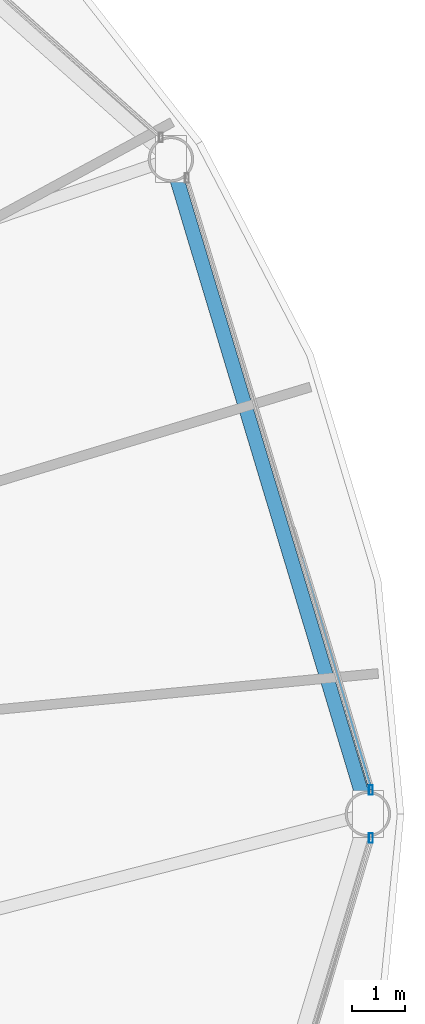
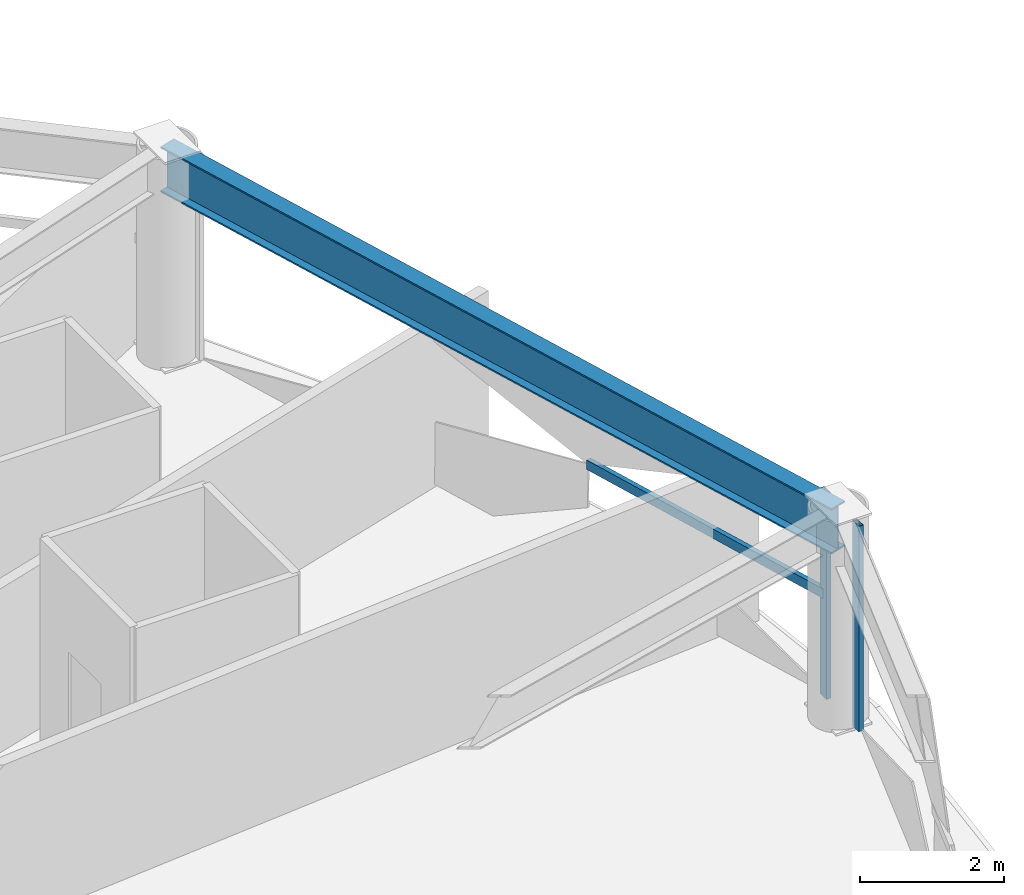
# One storey, part 12 of 30: 3 members, 1 beam, 2 elements without a shape of their own.
"""IFC4 building model written with IfcOpenShell, lengths in metres."""

import ifcopenshell
import ifcopenshell.guid

model = None  # the IFC model being written
_history = None  # IfcOwnerHistory: only IFC2X3 demands one
_inside = {}  # id of a spatial element -> (the spatial element, [elements in it])
_under = {}  # id of a project, library or spatial element -> (it, [spatial elements below it])
_declared = {}  # id of a project -> (the project, [libraries it declares])
_typed = {}  # id of a type object -> (the type object, [elements of that type])
_made_of = {}  # id of a material, layer set ... -> (it, [elements and type objects made of it])


def new_model(schema):
    """Start an empty IFC model of exactly this schema.

    Asked for "IFC4X3", IfcOpenShell would pick the latest addendum, in which some entities
    have other attributes; the version numbers below select the first issue.
    IFC2X3 requires an IfcOwnerHistory on every rooted entity: one is made here for all.
    """
    global model, _history
    if schema == "IFC4X3":
        model = ifcopenshell.file(schema_version=(4, 3, 0, 0))
    else:
        model = ifcopenshell.file(schema=schema)
    _inside.clear()
    _under.clear()
    _declared.clear()
    _typed.clear()
    _made_of.clear()
    _history = None
    if model.schema == "IFC2X3":
        org = make("IfcOrganization", Name="unknown")
        user = make(
            "IfcPersonAndOrganization",
            ThePerson=make("IfcPerson", FamilyName="unknown"),
            TheOrganization=org,
        )
        app = make(
            "IfcApplication",
            ApplicationDeveloper=org,
            Version="unknown",
            ApplicationFullName="unknown",
            ApplicationIdentifier="unknown",
        )
        _history = make(
            "IfcOwnerHistory",
            OwningUser=user,
            OwningApplication=app,
            ChangeAction="ADDED",
            CreationDate=0,
        )
    return model


def make(cls, **values):
    """One entity of the class cls with the attributes given. An attribute that is None is left unset."""
    return model.create_entity(
        cls, **{name: value for name, value in values.items() if value is not None}
    )


def rooted(cls, **values):
    """An entity with a GlobalId (a new one), such as an element, a storey or a relation."""
    return make(cls, GlobalId=ifcopenshell.guid.new(), OwnerHistory=_history, **values)


def si_unit(unit_type, name, prefix=None):
    """IfcSIUnit, for example si_unit("LENGTHUNIT", "METRE", prefix="MILLI")."""
    return make("IfcSIUnit", UnitType=unit_type, Prefix=prefix, Name=name)


def assignment(units):
    """IfcUnitAssignment: the units of a project."""
    return None if units is None else make("IfcUnitAssignment", Units=units)


def point(xyz):
    """IfcCartesianPoint."""
    return None if xyz is None else make("IfcCartesianPoint", Coordinates=xyz)


def direction(xyz):
    """IfcDirection."""
    return None if xyz is None else make("IfcDirection", DirectionRatios=xyz)


def frame(location, z_axis=None, x_axis=None):
    """IfcAxis2Placement3D, a coordinate frame: its origin and axes. An axis left out is left unset."""
    return make(
        "IfcAxis2Placement3D",
        Location=point(location),
        Axis=direction(z_axis),
        RefDirection=direction(x_axis),
    )


def frame_2d(location, x_axis=None):
    """IfcAxis2Placement2D, a coordinate frame in the plane: its origin and x axis."""
    return make(
        "IfcAxis2Placement2D", Location=point(location), RefDirection=direction(x_axis)
    )


def origin():
    """The frame at (0, 0, 0) with its axes left unset."""
    return frame((0.0, 0.0, 0.0))


def origin_2d():
    """The frame at (0, 0) in the plane with its x axis left unset."""
    return frame_2d((0.0, 0.0))


def place(relative_to, where):
    """IfcLocalPlacement: puts the frame where relative to a parent placement (None: the world)."""
    return make(
        "IfcLocalPlacement", PlacementRelTo=relative_to, RelativePlacement=where
    )


def context(
    kind, dimensions, precision=None, world=None, true_north=None, identifier=None
):
    """IfcGeometricRepresentationContext, for example the 3D "Model" context."""
    return make(
        "IfcGeometricRepresentationContext",
        ContextIdentifier=identifier,
        ContextType=kind,
        CoordinateSpaceDimension=dimensions,
        Precision=precision,
        WorldCoordinateSystem=world,
        TrueNorth=true_north,
    )


def subcontext(parent, identifier, kind, view, scale=None):
    """IfcGeometricRepresentationSubContext, for example "Body" below "Model"."""
    return make(
        "IfcGeometricRepresentationSubContext",
        ContextIdentifier=identifier,
        ContextType=kind,
        ParentContext=parent,
        TargetScale=scale,
        TargetView=view,
    )


def project(units=None, contexts=None):
    """IfcProject with its units and contexts."""
    return rooted(
        "IfcProject",
        Name="project",
        RepresentationContexts=contexts,
        UnitsInContext=assignment(units),
    )


def spatial(cls, under=None, at=None, **own):
    """A site, building, storey or space (cls), placed at a placement, below another one or the project."""
    s = rooted(cls, ObjectPlacement=at, **own)
    if under is not None:
        _under.setdefault(under.id(), (under, []))[1].append(s)
    return s


def profile(cls, at=None, kind="AREA", **sizes):
    """A parametric profile (cls). Its sizes go by their IFC names, for example OverallWidth=200.0."""
    return make(cls, ProfileType=kind, Position=at, **sizes)


def hollow_rectangle(**sizes):
    """IfcRectangleHollowProfileDef."""
    return profile("IfcRectangleHollowProfileDef", **sizes)


def i_section(**sizes):
    """IfcIShapeProfileDef."""
    return profile("IfcIShapeProfileDef", **sizes)


def extrude(swept, where, along, depth):
    """IfcExtrudedAreaSolid: the profile swept, set in the frame where, extruded along a direction by depth."""
    return make(
        "IfcExtrudedAreaSolid",
        SweptArea=swept,
        Position=where,
        ExtrudedDirection=direction(along),
        Depth=depth,
    )


def shape(context_of_items, identifier, shape_type, items):
    """IfcShapeRepresentation: the items that make up one representation, for example the "Body"."""
    return make(
        "IfcShapeRepresentation",
        ContextOfItems=context_of_items,
        RepresentationIdentifier=identifier,
        RepresentationType=shape_type,
        Items=items,
    )


def material(Name=None, Category=None):
    """IfcMaterial."""
    return make("IfcMaterial", Name=Name, Category=Category)


def layer(
    of_material, thickness, ventilated=None, Name=None, Category=None, Priority=None
):
    """IfcMaterialLayer: one layer of a wall or slab, of a material (None: an air gap)."""
    return make(
        "IfcMaterialLayer",
        Material=of_material,
        LayerThickness=thickness,
        IsVentilated=ventilated,
        Name=Name,
        Category=Category,
        Priority=Priority,
    )


def layer_set(layers, Name=None):
    """IfcMaterialLayerSet."""
    return make("IfcMaterialLayerSet", MaterialLayers=layers, LayerSetName=Name)


def material_profile(
    of_material, cross_section, Name=None, Category=None, Priority=None
):
    """IfcMaterialProfile: a cross section and its material."""
    return make(
        "IfcMaterialProfile",
        Name=Name,
        Material=of_material,
        Profile=cross_section,
        Priority=Priority,
        Category=Category,
    )


def profile_set(profiles, Name=None, composite=None):
    """IfcMaterialProfileSet."""
    return make(
        "IfcMaterialProfileSet",
        Name=Name,
        MaterialProfiles=profiles,
        CompositeProfile=composite,
    )


def made_of(thing, what):
    """Note that an element or type object is made of a material, layer set ...; save() writes the relation."""
    if what is not None:
        _made_of.setdefault(what.id(), (what, []))[1].append(thing)
    return thing


def type_object(cls, material=None, **own):
    """A type object (cls), such as IfcWallType, which elements share."""
    return made_of(rooted(cls, **own), material)


def element(
    cls,
    number,
    at=None,
    inside=None,
    cuts=None,
    type_object=None,
    material=None,
    context=None,
    identifier="Body",
    shape_type=None,
    held_by="IfcProductDefinitionShape",
    body=None,
    shapes=None,
    **own,
):
    """One element of the class cls, such as IfcWall. Its Tag is "e" and its number.

    at: its placement. inside: the storey or other place that contains it. cuts: it is an
    opening in that element (IfcRelVoidsElement). A single representation is given by context,
    identifier, shape_type and body (its items); several are given by shapes. held_by: the class
    of the entity that holds the representations. save() writes the other relations.
    """
    e = rooted(cls, Tag="e%d" % number, ObjectPlacement=at, **own)
    if body is not None:
        shapes = [shape(context, identifier, shape_type, body)]
    if shapes is not None:
        e.Representation = make(held_by, Representations=shapes)
    if inside is not None:
        _inside.setdefault(inside.id(), (inside, []))[1].append(e)
    if cuts is not None:
        rooted(
            "IfcRelVoidsElement", RelatingBuildingElement=cuts, RelatedOpeningElement=e
        )
    if type_object is not None:
        _typed.setdefault(type_object.id(), (type_object, []))[1].append(e)
    return made_of(e, material)


def aggregate(whole, parts):
    """IfcRelAggregates: a whole, such as a stair, and the parts it consists of."""
    return rooted("IfcRelAggregates", RelatingObject=whole, RelatedObjects=parts)


def save(model, path):
    """Write the relations noted so far, then the file.

    IfcRelAggregates (storeys below a building ...), IfcRelContainedInSpatialStructure (elements
    in a storey), IfcRelDefinesByType, IfcRelAssociatesMaterial and IfcRelDeclares: one each for
    every whole, place, type object, material and project.
    """
    for whole, parts in _under.values():
        aggregate(whole, parts)
    for where, things in _inside.values():
        rooted(
            "IfcRelContainedInSpatialStructure",
            RelatedElements=things,
            RelatingStructure=where,
        )
    for kind, things in _typed.values():
        rooted("IfcRelDefinesByType", RelatedObjects=things, RelatingType=kind)
    for what, things in _made_of.values():
        rooted("IfcRelAssociatesMaterial", RelatedObjects=things, RelatingMaterial=what)
    for by, libraries in _declared.values():
        rooted("IfcRelDeclares", RelatingContext=by, RelatedDefinitions=libraries)
    model.write(path)


model = new_model("IFC4")

# Units and contexts
model_context = context("Model", 3, precision=1e-05, world=origin(), true_north=direction((0.0, 1.0)))
body_context = subcontext(model_context, "Body", "Model", "MODEL_VIEW")
ifc_project = project(units=[si_unit("LENGTHUNIT", "METRE"), si_unit("AREAUNIT", "SQUARE_METRE"), si_unit("VOLUMEUNIT", "CUBIC_METRE"), si_unit("PLANEANGLEUNIT", "RADIAN"), si_unit("MASSUNIT", "GRAM", prefix="KILO")], contexts=[model_context])

# Site, building, storey
site_placement = place(None, origin())
site = spatial("IfcSite", under=ifc_project, at=site_placement, CompositionType="ELEMENT")
building_placement = place(site_placement, origin())
building = spatial("IfcBuilding", under=site, at=building_placement, Name="Vantalir Tower", CompositionType="ELEMENT")
storey_placement = place(building_placement, frame((0.0, 0.0, 83.25)))
storey = spatial("IfcBuildingStorey", under=building, at=storey_placement, Name="L20", CompositionType="ELEMENT", Elevation=83.25)

# Beam
ifc_material_1 = material(Name="Steel S460", Category="steel")
ifc_material_profile_1 = material_profile(ifc_material_1, i_section(OverallWidth=0.26806640625, OverallDepth=0.77001953125, WebThickness=0.015625, FlangeThickness=0.025390625, at=origin_2d()), Name="Steel S460")
ifc_profile_set_1 = profile_set([ifc_material_profile_1], Name="Steel S460")
beam_type = type_object("IfcBeamType", Name="BM-RG-762x267", PredefinedType="USERDEFINED", material=ifc_profile_set_1)
beam_placement = place(storey_placement, frame((59.0, 25.0, 3.18505859375), z_axis=(-0.288062352819, 0.957611654528, 0.0), x_axis=(-0.957611654528, -0.288062352819, 0.0)))
element("IfcBeam", 1, at=beam_placement, inside=storey, type_object=beam_type, Name="L20 Circumferential Ring Girder 01", ObjectType="GIRDER", PredefinedType="USERDEFINED", context=body_context, shape_type="SweptSolid", body=[
    extrude(i_section(OverallWidth=0.26806640625, OverallDepth=0.77001953125, WebThickness=0.015625, FlangeThickness=0.025390625, at=origin_2d()), origin(), (0.0, 0.0, 1.0), 12.7890625),
])

# Curtain wall, member
ifc_material_2 = material(Name="Champagne-silver PVDF aluminium and double-silver Low-E glass", Category="aluminium")
ifc_layer = layer(ifc_material_2, 0.18994140625)
ifc_layer_set = layer_set([ifc_layer], Name="Champagne-silver PVDF aluminium and double-silver Low-E glass")
curtain_wall_type = type_object("IfcCurtainWallType", Name="CW-DIAMOND-Z1", PredefinedType="USERDEFINED", material=ifc_layer_set)
curtain_wall_1_placement = place(storey_placement, origin())
curtain_wall_1 = element("IfcCurtainWall", 2, at=curtain_wall_1_placement, inside=storey, type_object=curtain_wall_type, Name="L20 Quilted Pyramid-Diamond Curtain Wall S01", ObjectType="UNITISED CURTAIN WALL", PredefinedType="USERDEFINED")
ifc_material_3 = material(Name="Champagne-silver PVDF aluminium 6063-T6", Category="aluminium")
ifc_material_profile_2 = material_profile(ifc_material_3, hollow_rectangle(XDim=0.074951171875, YDim=0.179931640625, WallThickness=0.00390625, at=origin_2d()), Name="Champagne-silver PVDF aluminium 6063-T6")
ifc_profile_set_2 = profile_set([ifc_material_profile_2], Name="Champagne-silver PVDF aluminium 6063-T6")
member_type_1 = type_object("IfcMemberType", Name="CWM-180x75", PredefinedType="MULLION", material=ifc_profile_set_2)
member_1_placement = place(storey_placement, frame((59.054931640625, 25.449951171875, 0.044921875), z_axis=(0.0, 0.0, 1.0), x_axis=(1.0, 0.0, 0.0)))
member_1 = element("IfcMember", 3, at=member_1_placement, type_object=member_type_1, Name="CW-L20-S01 Mullion 1", PredefinedType="MULLION", context=body_context, shape_type="SweptSolid", body=[
    extrude(hollow_rectangle(XDim=0.074951171875, YDim=0.179931640625, WallThickness=0.00390625, at=origin_2d()), origin(), (0.0, 0.0, 1.0), 3.47998046875),
])

curtain_wall_2_placement = place(storey_placement, origin())
curtain_wall_2 = element("IfcCurtainWall", 4, at=curtain_wall_2_placement, inside=storey, type_object=curtain_wall_type, Name="L20 Quilted Pyramid-Diamond Curtain Wall S12", ObjectType="UNITISED CURTAIN WALL", PredefinedType="USERDEFINED")
member_2_placement = place(storey_placement, frame((59.054931640625, 24.550048828125, 0.044921875), z_axis=(0.0, 0.0, 1.0), x_axis=(1.0, 0.0, 0.0)))
member_2 = element("IfcMember", 5, at=member_2_placement, type_object=member_type_1, Name="CW-L20-S12 Mullion 2", PredefinedType="MULLION", context=body_context, shape_type="SweptSolid", body=[
    extrude(hollow_rectangle(XDim=0.074951171875, YDim=0.179931640625, WallThickness=0.00390625, at=origin_2d()), origin(), (0.0, 0.0, 1.0), 3.47998046875),
])
aggregate(curtain_wall_2, [member_2])

# Member
ifc_material_profile_3 = material_profile(ifc_material_3, hollow_rectangle(XDim=0.074951171875, YDim=0.159912109375, WallThickness=0.00390625, at=origin_2d()), Name="Champagne-silver PVDF aluminium 6063-T6")
ifc_profile_set_3 = profile_set([ifc_material_profile_3], Name="Champagne-silver PVDF aluminium 6063-T6")
member_type_2 = type_object("IfcMemberType", Name="CWT-160x75", PredefinedType="USERDEFINED", material=ifc_profile_set_3)
member_3_placement = place(storey_placement, frame((59.054931640625, 25.449951171875, 1.784912109375), z_axis=(-0.282961481429, 0.959131273616, 0.0), x_axis=(-0.959131273616, -0.282961481429, 0.0)))
member_3 = element("IfcMember", 6, at=member_3_placement, type_object=member_type_2, Name="CW-L20-S01 Pyramid Fold Ridge Transom", ObjectType="TRANSOM", PredefinedType="USERDEFINED", context=body_context, shape_type="SweptSolid", body=[
    extrude(hollow_rectangle(XDim=0.074951171875, YDim=0.159912109375, WallThickness=0.00390625, at=origin_2d()), origin(), (0.0, 0.0, 1.0), 4.53759765625),
])

aggregate(curtain_wall_1, [member_1, member_3])

save(model, "model.ifc")
